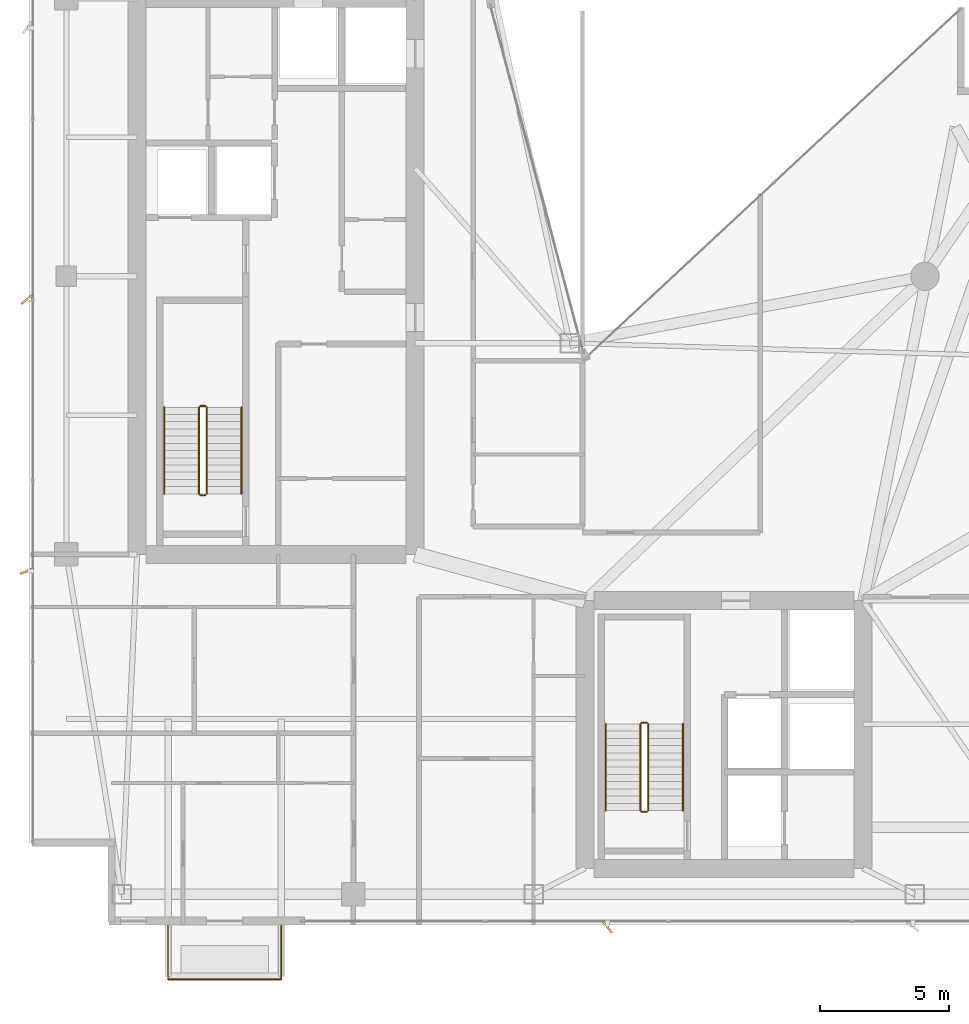
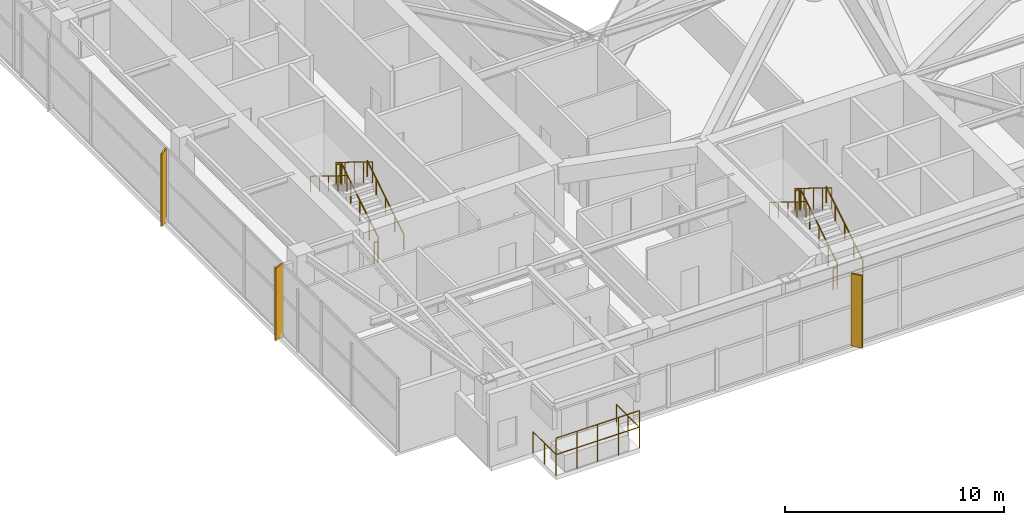
# One storey, part 26 of 27: 14 railings, 3 shading devices.
"""IFC4 building model written with IfcOpenShell, lengths in metres."""

from ifc_helpers import new_model, si_unit, direction, frame, origin, origin_2d, place, context, subcontext, project, spatial, rectangle, circle, extrude, material, type_object, element, save


model = new_model("IFC4")

# Units and contexts
model_context = context("Model", 3, precision=1e-05, world=origin(), true_north=direction((0.0, 1.0)))
body_context = subcontext(model_context, "Body", "Model", "MODEL_VIEW")
ifc_project = project(units=[si_unit("LENGTHUNIT", "METRE"), si_unit("AREAUNIT", "SQUARE_METRE"), si_unit("VOLUMEUNIT", "CUBIC_METRE"), si_unit("PLANEANGLEUNIT", "RADIAN"), si_unit("MASSUNIT", "GRAM", prefix="KILO")], contexts=[model_context])

# Site, building, storey
site_placement = place(None, origin())
site = spatial("IfcSite", under=ifc_project, at=site_placement, CompositionType="ELEMENT")
building_placement = place(site_placement, origin())
building = spatial("IfcBuilding", under=site, at=building_placement, Name="Calvorn Quay Hotel", CompositionType="ELEMENT")
storey_placement = place(building_placement, frame((0.0, 0.0, 239.300048828125)))
storey = spatial("IfcBuildingStorey", under=building, at=storey_placement, Name="L59", CompositionType="ELEMENT", Elevation=239.300048828125)

# Railings
ifc_material_1 = material(Name="Pale Anodised Aluminium and Laminated Glass", Category="aluminium")
railing_type_1 = type_object("IfcRailingType", Name="RLG-BALUSTRADE-1200", PredefinedType="BALUSTRADE", material=ifc_material_1)
railing_1_placement = place(storey_placement, frame((5.39990234375, 2.389892578125, 0.0)))
element("IfcRailing", 1, at=railing_1_placement, inside=storey, type_object=railing_type_1, Name="Tree Balcony Perimeter Balustrade L59-BALC-S", PredefinedType="BALUSTRADE", context=body_context, shape_type="SweptSolid", body=[
    extrude(circle(Radius=0.02392578125, at=origin_2d()), frame((0.0, 0.0, 1.17578125), z_axis=(0.0, -1.0, 0.0), x_axis=(1.0, 0.0, 0.0)), (0.0, 0.0, 1.0), 2.099853515625),
    extrude(circle(Radius=0.02392578125, at=origin_2d()), frame((0.0, -2.099853515625, 1.17578125), z_axis=(1.0, 0.0, 0.0), x_axis=(0.0, 1.0, 0.0)), (0.0, 0.0, 1.0), 4.400146484375),
    extrude(circle(Radius=0.02392578125, at=origin_2d()), frame((4.400146484375, -2.099853515625, 1.17578125), z_axis=(0.0, 1.0, 0.0), x_axis=(-1.0, 0.0, 0.0)), (0.0, 0.0, 1.0), 2.099853515625),
    extrude(circle(Radius=0.02099609375, at=origin_2d()), origin(), (0.0, 0.0, 1.0), 1.15185546875),
    extrude(circle(Radius=0.02099609375, at=origin_2d()), frame((0.0, -1.0498046875, 0.0)), (0.0, 0.0, 1.0), 1.15185546875),
    extrude(circle(Radius=0.02099609375, at=origin_2d()), frame((0.0, -2.099853515625, 0.0)), (0.0, 0.0, 1.0), 1.15185546875),
    extrude(circle(Radius=0.02099609375, at=origin_2d()), frame((1.10009765625, -2.099853515625, 0.0)), (0.0, 0.0, 1.0), 1.15185546875),
    extrude(circle(Radius=0.02099609375, at=origin_2d()), frame((2.2001953125, -2.099853515625, 0.0)), (0.0, 0.0, 1.0), 1.15185546875),
    extrude(circle(Radius=0.02099609375, at=origin_2d()), frame((3.300048828125, -2.099853515625, 0.0)), (0.0, 0.0, 1.0), 1.15185546875),
    extrude(circle(Radius=0.02099609375, at=origin_2d()), frame((4.400146484375, -2.099853515625, 0.0)), (0.0, 0.0, 1.0), 1.15185546875),
    extrude(circle(Radius=0.02099609375, at=origin_2d()), frame((4.400146484375, -1.0498046875, 0.0)), (0.0, 0.0, 1.0), 1.15185546875),
    extrude(circle(Radius=0.02099609375, at=origin_2d()), frame((4.400146484375, 0.0, 0.0)), (0.0, 0.0, 1.0), 1.15185546875),
])
railing_2_placement = place(storey_placement, frame((5.39990234375, 0.2900390625, 0.89990234375)))
element("IfcRailing", 2, at=railing_2_placement, inside=storey, type_object=railing_type_1, Name="Planter Kerb High Safety Screen L59-BALC-S", PredefinedType="BALUSTRADE", context=body_context, shape_type="SweptSolid", body=[
    extrude(circle(Radius=0.02392578125, at=origin_2d()), frame((0.0, 0.0, 1.19580078125), z_axis=(1.0, 0.0, 0.0), x_axis=(0.0, 1.0, 0.0)), (0.0, 0.0, 1.0), 4.400146484375),
    extrude(circle(Radius=0.02099609375, at=origin_2d()), origin(), (0.0, 0.0, 1.0), 1.171875),
    extrude(circle(Radius=0.02099609375, at=origin_2d()), frame((1.10009765625, 0.0, 0.0)), (0.0, 0.0, 1.0), 1.171875),
    extrude(circle(Radius=0.02099609375, at=origin_2d()), frame((2.2001953125, 0.0, 0.0)), (0.0, 0.0, 1.0), 1.171875),
    extrude(circle(Radius=0.02099609375, at=origin_2d()), frame((3.300048828125, 0.0, 0.0)), (0.0, 0.0, 1.0), 1.171875),
    extrude(circle(Radius=0.02099609375, at=origin_2d()), frame((4.400146484375, 0.0, 0.0)), (0.0, 0.0, 1.0), 1.171875),
])
ifc_material_2 = material(Name="Brushed Stainless Steel Handrail", Category="steel")
railing_type_2 = type_object("IfcRailingType", Name="RLG-HANDRAIL-900", PredefinedType="HANDRAIL", material=ifc_material_2)
railing_3_placement = place(storey_placement, frame((8.25, 19.14990234375, 0.173095703125)))
element("IfcRailing", 3, at=railing_3_placement, inside=storey, type_object=railing_type_2, Name="L59 ST-W stair handrail 1", PredefinedType="HANDRAIL", context=body_context, shape_type="SweptSolid", body=[
    extrude(circle(Radius=0.02392578125, at=origin_2d()), frame((0.0, 0.0, 0.8759765625), z_axis=(0.0, 0.850623216509, 0.525775754039), x_axis=(-1.0, 0.0, 0.0)), (0.0, 0.0, 1.0), 3.9501953125),
    extrude(circle(Radius=0.02099609375, at=origin_2d()), origin(), (0.0, 0.0, 1.0), 0.851806640625),
    extrude(circle(Radius=0.02099609375, at=origin_2d()), frame((0.0, 0.840087890625, 0.519287109375)), (0.0, 0.0, 1.0), 0.851806640625),
    extrude(circle(Radius=0.02099609375, at=origin_2d()), frame((0.0, 1.68017578125, 1.03857421875)), (0.0, 0.0, 1.0), 0.851806640625),
    extrude(circle(Radius=0.02099609375, at=origin_2d()), frame((0.0, 2.52001953125, 1.5576171875)), (0.0, 0.0, 1.0), 0.851806640625),
    extrude(circle(Radius=0.02099609375, at=origin_2d()), frame((0.0, 3.360107421875, 2.076904296875)), (0.0, 0.0, 1.0), 0.851806640625),
])
railing_4_placement = place(storey_placement, frame((5.25, 22.510009765625, 2.423095703125)))
element("IfcRailing", 4, at=railing_4_placement, inside=storey, type_object=railing_type_2, Name="L59 ST-W stair handrail 2", PredefinedType="HANDRAIL", context=body_context, shape_type="SweptSolid", body=[
    extrude(circle(Radius=0.02392578125, at=origin_2d()), frame((0.0, 0.0, 0.8759765625), z_axis=(0.0, -0.850623216509, 0.525775754039), x_axis=(1.0, 0.0, 0.0)), (0.0, 0.0, 1.0), 3.9501953125),
    extrude(circle(Radius=0.02099609375, at=origin_2d()), origin(), (0.0, 0.0, 1.0), 0.851806640625),
    extrude(circle(Radius=0.02099609375, at=origin_2d()), frame((0.0, -0.840087890625, 0.519287109375)), (0.0, 0.0, 1.0), 0.851806640625),
    extrude(circle(Radius=0.02099609375, at=origin_2d()), frame((0.0, -1.68017578125, 1.03857421875)), (0.0, 0.0, 1.0), 0.851806640625),
    extrude(circle(Radius=0.02099609375, at=origin_2d()), frame((0.0, -2.52001953125, 1.5576171875)), (0.0, 0.0, 1.0), 0.851806640625),
    extrude(circle(Radius=0.02099609375, at=origin_2d()), frame((0.0, -3.360107421875, 2.076904296875)), (0.0, 0.0, 1.0), 0.851806640625),
])
railing_5_placement = place(storey_placement, frame((25.39990234375, 6.85009765625, 0.173095703125)))
element("IfcRailing", 5, at=railing_5_placement, inside=storey, type_object=railing_type_2, Name="L59 ST-E stair handrail 1", PredefinedType="HANDRAIL", context=body_context, shape_type="SweptSolid", body=[
    extrude(circle(Radius=0.02392578125, at=origin_2d()), frame((0.0, 0.0, 0.8759765625), z_axis=(0.0, 0.850606129759, 0.525803396734), x_axis=(-1.0, 0.0, 0.0)), (0.0, 0.0, 1.0), 3.949951171875),
    extrude(circle(Radius=0.02099609375, at=origin_2d()), origin(), (0.0, 0.0, 1.0), 0.851806640625),
    extrude(circle(Radius=0.02099609375, at=origin_2d()), frame((0.0, 0.83984375, 0.519287109375)), (0.0, 0.0, 1.0), 0.851806640625),
    extrude(circle(Radius=0.02099609375, at=origin_2d()), frame((0.0, 1.679931640625, 1.03857421875)), (0.0, 0.0, 1.0), 0.851806640625),
    extrude(circle(Radius=0.02099609375, at=origin_2d()), frame((0.0, 2.52001953125, 1.5576171875)), (0.0, 0.0, 1.0), 0.851806640625),
    extrude(circle(Radius=0.02099609375, at=origin_2d()), frame((0.0, 3.35986328125, 2.076904296875)), (0.0, 0.0, 1.0), 0.851806640625),
])
railing_6_placement = place(storey_placement, frame((22.39990234375, 10.2099609375, 2.423095703125)))
element("IfcRailing", 6, at=railing_6_placement, inside=storey, type_object=railing_type_2, Name="L59 ST-E stair handrail 2", PredefinedType="HANDRAIL", context=body_context, shape_type="SweptSolid", body=[
    extrude(circle(Radius=0.02392578125, at=origin_2d()), frame((0.0, 0.0, 0.8759765625), z_axis=(0.0, -0.850606129759, 0.525803396734), x_axis=(1.0, 0.0, 0.0)), (0.0, 0.0, 1.0), 3.949951171875),
    extrude(circle(Radius=0.02099609375, at=origin_2d()), origin(), (0.0, 0.0, 1.0), 0.851806640625),
    extrude(circle(Radius=0.02099609375, at=origin_2d()), frame((0.0, -0.83984375, 0.519287109375)), (0.0, 0.0, 1.0), 0.851806640625),
    extrude(circle(Radius=0.02099609375, at=origin_2d()), frame((0.0, -1.679931640625, 1.03857421875)), (0.0, 0.0, 1.0), 0.851806640625),
    extrude(circle(Radius=0.02099609375, at=origin_2d()), frame((0.0, -2.52001953125, 1.5576171875)), (0.0, 0.0, 1.0), 0.851806640625),
    extrude(circle(Radius=0.02099609375, at=origin_2d()), frame((0.0, -3.35986328125, 2.076904296875)), (0.0, 0.0, 1.0), 0.851806640625),
])
ifc_material_3 = material(Name="Painted Galvanised Steel Balustrade", Category="steel")
railing_type_3 = type_object("IfcRailingType", Name="RLG-STAIR-GUARD-1120", PredefinedType="GUARDRAIL", material=ifc_material_3)
railing_7_placement = place(storey_placement, frame((6.89990234375, 19.14990234375, 0.173095703125)))
element("IfcRailing", 7, at=railing_7_placement, inside=storey, type_object=railing_type_3, Name="L59 ST-W stair guard 1", PredefinedType="GUARDRAIL", context=body_context, shape_type="SweptSolid", body=[
    extrude(circle(Radius=0.02392578125, at=origin_2d()), frame((0.0, 0.0, 1.17578125), z_axis=(0.0, 0.850623216509, 0.525775754039), x_axis=(-1.0, 0.0, 0.0)), (0.0, 0.0, 1.0), 3.9501953125),
    extrude(circle(Radius=0.02099609375, at=origin_2d()), origin(), (0.0, 0.0, 1.0), 1.15185546875),
    extrude(circle(Radius=0.02099609375, at=origin_2d()), frame((0.0, 0.840087890625, 0.519287109375)), (0.0, 0.0, 1.0), 1.15185546875),
    extrude(circle(Radius=0.02099609375, at=origin_2d()), frame((0.0, 1.68017578125, 1.03857421875)), (0.0, 0.0, 1.0), 1.15185546875),
    extrude(circle(Radius=0.02099609375, at=origin_2d()), frame((0.0, 2.52001953125, 1.5576171875)), (0.0, 0.0, 1.0), 1.15185546875),
    extrude(circle(Radius=0.02099609375, at=origin_2d()), frame((0.0, 3.360107421875, 2.076904296875)), (0.0, 0.0, 1.0), 1.15185546875),
])
railing_8_placement = place(storey_placement, frame((6.85009765625, 22.56005859375, 2.25)))
element("IfcRailing", 8, at=railing_8_placement, inside=storey, type_object=railing_type_3, Name="L59 ST-W stair guard 2", PredefinedType="GUARDRAIL", context=body_context, shape_type="SweptSolid", body=[
    extrude(circle(Radius=0.02392578125, at=origin_2d()), frame((0.0, 0.0, 1.17578125), z_axis=(-1.0, 0.0, 0.0), x_axis=(0.0, -1.0, 0.0)), (0.0, 0.0, 1.0), 0.2001953125),
    extrude(circle(Radius=0.02099609375, at=origin_2d()), origin(), (0.0, 0.0, 1.0), 1.15185546875),
    extrude(circle(Radius=0.02099609375, at=origin_2d()), frame((-0.2001953125, 0.0, 0.0)), (0.0, 0.0, 1.0), 1.15185546875),
])
railing_9_placement = place(storey_placement, frame((6.60009765625, 22.510009765625, 2.423095703125)))
element("IfcRailing", 9, at=railing_9_placement, inside=storey, type_object=railing_type_3, Name="L59 ST-W stair guard 3", PredefinedType="GUARDRAIL", context=body_context, shape_type="SweptSolid", body=[
    extrude(circle(Radius=0.02392578125, at=origin_2d()), frame((0.0, 0.0, 1.17578125), z_axis=(0.0, -0.850623216509, 0.525775754039), x_axis=(1.0, 0.0, 0.0)), (0.0, 0.0, 1.0), 3.9501953125),
    extrude(circle(Radius=0.02099609375, at=origin_2d()), origin(), (0.0, 0.0, 1.0), 1.15185546875),
    extrude(circle(Radius=0.02099609375, at=origin_2d()), frame((0.0, -0.840087890625, 0.519287109375)), (0.0, 0.0, 1.0), 1.15185546875),
    extrude(circle(Radius=0.02099609375, at=origin_2d()), frame((0.0, -1.68017578125, 1.03857421875)), (0.0, 0.0, 1.0), 1.15185546875),
    extrude(circle(Radius=0.02099609375, at=origin_2d()), frame((0.0, -2.52001953125, 1.5576171875)), (0.0, 0.0, 1.0), 1.15185546875),
    extrude(circle(Radius=0.02099609375, at=origin_2d()), frame((0.0, -3.360107421875, 2.076904296875)), (0.0, 0.0, 1.0), 1.15185546875),
])
railing_10_placement = place(storey_placement, frame((6.85009765625, 19.10009765625, 0.0)))
element("IfcRailing", 10, at=railing_10_placement, inside=storey, type_object=railing_type_3, Name="L59 ST-W stair guard 4", PredefinedType="GUARDRAIL", context=body_context, shape_type="SweptSolid", body=[
    extrude(circle(Radius=0.02392578125, at=origin_2d()), frame((0.0, 0.0, 1.17578125), z_axis=(-1.0, 0.0, 0.0), x_axis=(0.0, -1.0, 0.0)), (0.0, 0.0, 1.0), 0.2001953125),
    extrude(circle(Radius=0.02099609375, at=origin_2d()), origin(), (0.0, 0.0, 1.0), 1.15185546875),
    extrude(circle(Radius=0.02099609375, at=origin_2d()), frame((-0.2001953125, 0.0, 0.0)), (0.0, 0.0, 1.0), 1.15185546875),
])
railing_11_placement = place(storey_placement, frame((24.050048828125, 6.85009765625, 0.173095703125)))
element("IfcRailing", 11, at=railing_11_placement, inside=storey, type_object=railing_type_3, Name="L59 ST-E stair guard 1", PredefinedType="GUARDRAIL", context=body_context, shape_type="SweptSolid", body=[
    extrude(circle(Radius=0.02392578125, at=origin_2d()), frame((0.0, 0.0, 1.17578125), z_axis=(0.0, 0.850606129759, 0.525803396734), x_axis=(-1.0, 0.0, 0.0)), (0.0, 0.0, 1.0), 3.949951171875),
    extrude(circle(Radius=0.02099609375, at=origin_2d()), origin(), (0.0, 0.0, 1.0), 1.15185546875),
    extrude(circle(Radius=0.02099609375, at=origin_2d()), frame((0.0, 0.83984375, 0.519287109375)), (0.0, 0.0, 1.0), 1.15185546875),
    extrude(circle(Radius=0.02099609375, at=origin_2d()), frame((0.0, 1.679931640625, 1.03857421875)), (0.0, 0.0, 1.0), 1.15185546875),
    extrude(circle(Radius=0.02099609375, at=origin_2d()), frame((0.0, 2.52001953125, 1.5576171875)), (0.0, 0.0, 1.0), 1.15185546875),
    extrude(circle(Radius=0.02099609375, at=origin_2d()), frame((0.0, 3.35986328125, 2.076904296875)), (0.0, 0.0, 1.0), 1.15185546875),
])
railing_12_placement = place(storey_placement, frame((24.0, 10.260009765625, 2.25)))
element("IfcRailing", 12, at=railing_12_placement, inside=storey, type_object=railing_type_3, Name="L59 ST-E stair guard 2", PredefinedType="GUARDRAIL", context=body_context, shape_type="SweptSolid", body=[
    extrude(circle(Radius=0.02392578125, at=origin_2d()), frame((0.0, 0.0, 1.17578125), z_axis=(-1.0, 0.0, 0.0), x_axis=(0.0, -1.0, 0.0)), (0.0, 0.0, 1.0), 0.199951171875),
    extrude(circle(Radius=0.02099609375, at=origin_2d()), origin(), (0.0, 0.0, 1.0), 1.15185546875),
    extrude(circle(Radius=0.02099609375, at=origin_2d()), frame((-0.199951171875, 0.0, 0.0)), (0.0, 0.0, 1.0), 1.15185546875),
])
railing_13_placement = place(storey_placement, frame((23.75, 10.2099609375, 2.423095703125)))
element("IfcRailing", 13, at=railing_13_placement, inside=storey, type_object=railing_type_3, Name="L59 ST-E stair guard 3", PredefinedType="GUARDRAIL", context=body_context, shape_type="SweptSolid", body=[
    extrude(circle(Radius=0.02392578125, at=origin_2d()), frame((0.0, 0.0, 1.17578125), z_axis=(0.0, -0.850606129759, 0.525803396734), x_axis=(1.0, 0.0, 0.0)), (0.0, 0.0, 1.0), 3.949951171875),
    extrude(circle(Radius=0.02099609375, at=origin_2d()), origin(), (0.0, 0.0, 1.0), 1.15185546875),
    extrude(circle(Radius=0.02099609375, at=origin_2d()), frame((0.0, -0.83984375, 0.519287109375)), (0.0, 0.0, 1.0), 1.15185546875),
    extrude(circle(Radius=0.02099609375, at=origin_2d()), frame((0.0, -1.679931640625, 1.03857421875)), (0.0, 0.0, 1.0), 1.15185546875),
    extrude(circle(Radius=0.02099609375, at=origin_2d()), frame((0.0, -2.52001953125, 1.5576171875)), (0.0, 0.0, 1.0), 1.15185546875),
    extrude(circle(Radius=0.02099609375, at=origin_2d()), frame((0.0, -3.35986328125, 2.076904296875)), (0.0, 0.0, 1.0), 1.15185546875),
])
railing_14_placement = place(storey_placement, frame((24.0, 6.800048828125, 0.0)))
element("IfcRailing", 14, at=railing_14_placement, inside=storey, type_object=railing_type_3, Name="L59 ST-E stair guard 4", PredefinedType="GUARDRAIL", context=body_context, shape_type="SweptSolid", body=[
    extrude(circle(Radius=0.02392578125, at=origin_2d()), frame((0.0, 0.0, 1.17578125), z_axis=(-1.0, 0.0, 0.0), x_axis=(0.0, -1.0, 0.0)), (0.0, 0.0, 1.0), 0.199951171875),
    extrude(circle(Radius=0.02099609375, at=origin_2d()), origin(), (0.0, 0.0, 1.0), 1.15185546875),
    extrude(circle(Radius=0.02099609375, at=origin_2d()), frame((-0.199951171875, 0.0, 0.0)), (0.0, 0.0, 1.0), 1.15185546875),
])

# Shading devices
ifc_material_4 = material(Name="Champagne Bronze Anodised Aluminium 6063-T6", Category="aluminium")
shading_device_type_1 = type_object("IfcShadingDeviceType", Name="SHD-FIN-A1", PredefinedType="USERDEFINED", material=ifc_material_4)
shading_device_placement = place(storey_placement, frame((-0.080078125, 16.14990234375, 0.0), z_axis=(0.0, 0.0, 1.0), x_axis=(0.927183854567, 0.374606593416, 0.0)))
element("IfcShadingDevice", 15, at=shading_device_placement, inside=storey, type_object=shading_device_type_1, Name="Diagonal Sun-Shading Fin L59-W01", ObjectType="FIN", PredefinedType="USERDEFINED", context=body_context, shape_type="SweptSolid", body=[
    extrude(rectangle(XDim=0.550048828125, YDim=0.080078125, at=origin_2d()), origin(), (0.0, 0.0, 1.0), 4.050048828125),
])
ifc_material_5 = material(Name="Champagne Bronze Anodised Aluminium 6063-T6", Category="aluminium")
shading_device_type_2 = type_object("IfcShadingDeviceType", Name="SHD-FIN-A2", PredefinedType="USERDEFINED", material=ifc_material_5)
for number, where, z_axis, x_axis, name in (
    (16, (-0.080078125, 26.699951171875, 0.0), (0.0, 0.0, 1.0), (0.788010753607, 0.615661475326, 0.0), "Diagonal Sun-Shading Fin L59-W02"),
    (17, (22.467041015625, 2.320068359375, 0.0), (0.0, 0.0, 1.0), (-0.615661475326, 0.788010753607, 0.0), "Diagonal Sun-Shading Fin L59-S01"),
):
    element("IfcShadingDevice", number, at=place(storey_placement, frame(where, z_axis=z_axis, x_axis=x_axis)), inside=storey, type_object=shading_device_type_2, Name=name, ObjectType="FIN", PredefinedType="USERDEFINED", context=body_context, shape_type="SweptSolid", body=[
        extrude(rectangle(XDim=0.550048828125, YDim=0.080078125, at=origin_2d()), origin(), (0.0, 0.0, 1.0), 4.050048828125),
    ])

save(model, "model.ifc")
